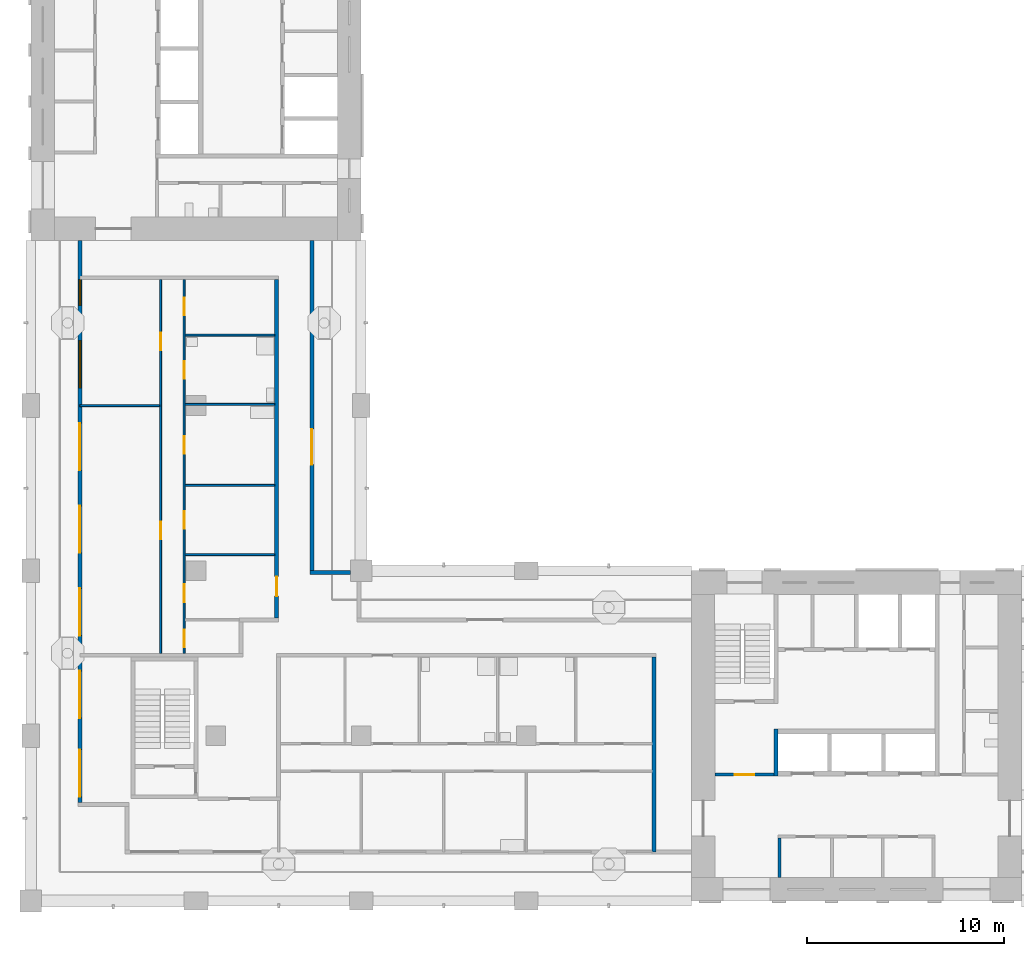
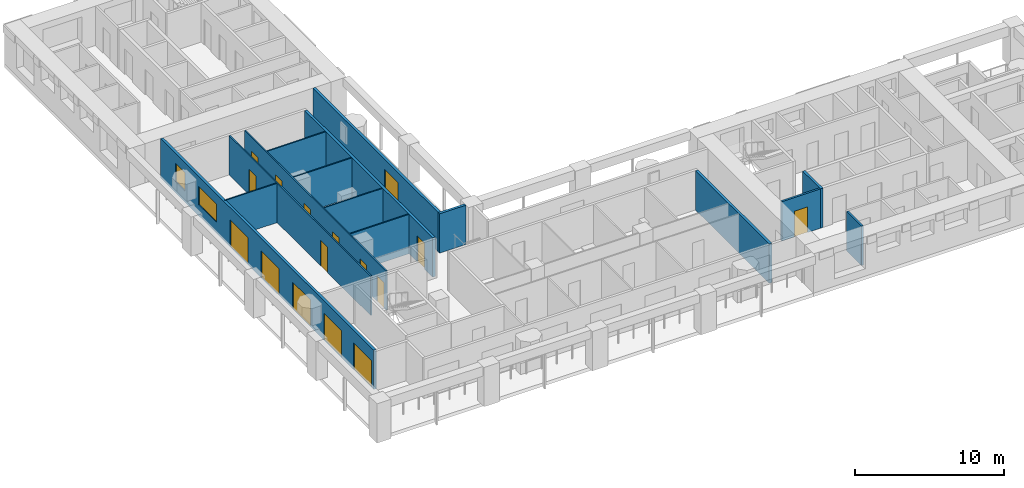
# One storey, part 3 of 13: 16 doors, 15 walls, 2 windows, 18 openings.
"""IFC4 building model written with IfcOpenShell, lengths in metres."""

from ifc_helpers import new_model, si_unit, direction, frame, frame_2d, origin, place, context, subcontext, project, spatial, rectangle, extrude, material, layer, layer_set, type_object, element, fill, save


model = new_model("IFC4")

# Units and contexts
model_context = context("Model", 3, precision=1e-05, world=origin(), true_north=direction((0.0, 1.0)))
body_context = subcontext(model_context, "Body", "Model", "MODEL_VIEW")
ifc_project = project(units=[si_unit("LENGTHUNIT", "METRE"), si_unit("AREAUNIT", "SQUARE_METRE"), si_unit("VOLUMEUNIT", "CUBIC_METRE"), si_unit("PLANEANGLEUNIT", "RADIAN"), si_unit("MASSUNIT", "GRAM", prefix="KILO")], contexts=[model_context])

# Site, building, storey
site_placement = place(None, origin())
site = spatial("IfcSite", under=ifc_project, at=site_placement, CompositionType="ELEMENT")
building_placement = place(site_placement, origin())
building = spatial("IfcBuilding", under=site, at=building_placement, Name="Vermilion Gate Residences", CompositionType="ELEMENT")
storey_placement = place(building_placement, frame((0.0, 0.0, 189.699951171875)))
storey = spatial("IfcBuildingStorey", under=building, at=storey_placement, Name="L49", CompositionType="ELEMENT", Elevation=189.699951171875)

# Wall
ifc_material_1 = material(Name="Masonry blockwork", Category="masonry")
ifc_layer_1 = layer(ifc_material_1, 0.14990234375)
ifc_layer_set_1 = layer_set([ifc_layer_1], Name="BLOCKWORK PARTITION 150 EI 120")
wall_type_1 = type_object("IfcWallType", Name="BLOCKWORK PARTITION 150 EI 120", PredefinedType="PARTITIONING", material=ifc_layer_set_1)
wall_1_placement = place(storey_placement, frame((46.47509765625, 9.60009765625, 0.0), z_axis=(0.0, 0.0, 1.0), x_axis=(0.0, 1.0, 0.0)))
element("IfcWall", 1, at=wall_1_placement, inside=storey, type_object=wall_type_1, Name="Core room partition A49-RW-W", PredefinedType="PARTITIONING", context=body_context, shape_type="SweptSolid", body=[
    extrude(rectangle(XDim=2.0, YDim=0.14990234375, at=frame_2d((1.0, 0.0))), origin(), (0.0, 0.0, 1.0), 3.219970703125),
])

# Wall, opening, door
wall_2_placement = place(storey_placement, frame((43.199951171875, 14.824951171875, 0.0), z_axis=(0.0, 0.0, 1.0), x_axis=(1.0, 0.0, 0.0)))
wall_2 = element("IfcWall", 2, at=wall_2_placement, inside=storey, type_object=wall_type_1, Name="Core room partition A49-VW-S", PredefinedType="PARTITIONING", context=body_context, shape_type="SweptSolid", body=[
    extrude(rectangle(XDim=3.0, YDim=0.14990234375, at=frame_2d((1.5, 0.0))), origin(), (0.0, 0.0, 1.0), 3.219970703125),
])
opening_1_placement = place(wall_2_placement, frame((1.0, 0.0, 0.0)))
opening_1 = element("IfcOpeningElement", 3, at=opening_1_placement, cuts=wall_2, Name="Opening DK49013", PredefinedType="OPENING", context=body_context, shape_type="SweptSolid", body=[
    extrude(rectangle(XDim=1.0, YDim=2.10009765625, at=frame_2d((0.5, 1.050048828125))), frame((0.0, 0.0849609375, 0.0), z_axis=(0.0, -1.0, 0.0), x_axis=(1.0, 0.0, 0.0)), (0.0, 0.0, 1.0), 0.169921875),
])
ifc_material_2 = material(Name="Steel", Category="steel")
door_type_1 = type_object("IfcDoorType", Name="FIRE DOOR FD60 1000 X 2100", OperationType="SINGLE_SWING_LEFT", PredefinedType="DOOR", material=ifc_material_2)
door_1_placement = place(opening_1_placement, frame((1.0, 0.0, 0.0), z_axis=(0.0, 0.0, 1.0), x_axis=(-1.0, 0.0, 0.0)))
door_1 = element("IfcDoor", 4, at=door_1_placement, inside=storey, type_object=door_type_1, Name="Stair vestibule door A49", OperationType="SINGLE_SWING_RIGHT", OverallHeight=2.10009765625, OverallWidth=1.0, PredefinedType="DOOR", context=body_context, shape_type="SweptSolid", body=[
    extrude(rectangle(XDim=1.0, YDim=2.10009765625, at=frame_2d((0.5, 1.050048828125))), frame((0.0, 0.02490234375, 0.0), z_axis=(0.0, -1.0, 0.0), x_axis=(1.0, 0.0, 0.0)), (0.0, 0.0, 1.0), 0.050048828125),
])
fill(opening_1, door_1)

# Wall, openings, doors, windows
ifc_material_3 = material(Name="Insulated steel stud wall with terracotta rainscreen", Category="masonry")
ifc_layer_2 = layer(ifc_material_3, 0.199951171875)
ifc_layer_set_2 = layer_set([ifc_layer_2], Name="EXTERNAL WALL 200 TERRACOTTA RAINSCREEN")
wall_type_2 = type_object("IfcWallType", Name="EXTERNAL WALL 200 TERRACOTTA RAINSCREEN", PredefinedType="SOLIDWALL", material=ifc_layer_set_2)
wall_3_placement = place(storey_placement, frame((10.89990234375, 42.0, 0.0), z_axis=(0.0, 0.0, 1.0), x_axis=(0.0, -1.0, 0.0)))
wall_3 = element("IfcWall", 5, at=wall_3_placement, inside=storey, type_object=wall_type_2, Name="External wall", PredefinedType="SOLIDWALL", context=body_context, shape_type="SweptSolid", body=[
    extrude(rectangle(XDim=28.60009765625, YDim=0.199951171875, at=frame_2d((14.300048828125, 0.0))), origin(), (0.0, 0.0, 1.0), 3.219970703125),
])
opening_2_placement = place(wall_3_placement, frame((25.89990234375, 0.0, 0.0)))
opening_2 = element("IfcOpeningElement", 6, at=opening_2_placement, cuts=wall_3, Name="Opening DE49001", PredefinedType="OPENING", context=body_context, shape_type="SweptSolid", body=[
    extrude(rectangle(XDim=2.39990234375, YDim=2.199951171875, at=frame_2d((1.199951171875, 1.10009765625))), frame((0.0, 0.10986328125, 0.0), z_axis=(0.0, -1.0, 0.0), x_axis=(1.0, 0.0, 0.0)), (0.0, 0.0, 1.0), 0.219970703125),
])
opening_3_placement = place(wall_3_placement, frame((21.89990234375, 0.0, 0.0)))
opening_3 = element("IfcOpeningElement", 7, at=opening_3_placement, cuts=wall_3, Name="Opening DE49002", PredefinedType="OPENING", context=body_context, shape_type="SweptSolid", body=[
    extrude(rectangle(XDim=2.39990234375, YDim=2.199951171875, at=frame_2d((1.199951171875, 1.10009765625))), frame((0.0, 0.10986328125, 0.0), z_axis=(0.0, -1.0, 0.0), x_axis=(1.0, 0.0, 0.0)), (0.0, 0.0, 1.0), 0.219970703125),
])
opening_4_placement = place(wall_3_placement, frame((17.699951171875, 0.0, 0.0)))
opening_4 = element("IfcOpeningElement", 8, at=opening_4_placement, cuts=wall_3, Name="Opening DE49003", PredefinedType="OPENING", context=body_context, shape_type="SweptSolid", body=[
    extrude(rectangle(XDim=2.39990234375, YDim=2.199951171875, at=frame_2d((1.199951171875, 1.10009765625))), frame((0.0, 0.10986328125, 0.0), z_axis=(0.0, -1.0, 0.0), x_axis=(1.0, 0.0, 0.0)), (0.0, 0.0, 1.0), 0.219970703125),
])
opening_5_placement = place(wall_3_placement, frame((13.5, 0.0, 0.0)))
opening_5 = element("IfcOpeningElement", 9, at=opening_5_placement, cuts=wall_3, Name="Opening DE49004", PredefinedType="OPENING", context=body_context, shape_type="SweptSolid", body=[
    extrude(rectangle(XDim=2.39990234375, YDim=2.199951171875, at=frame_2d((1.199951171875, 1.10009765625))), frame((0.0, 0.10986328125, 0.0), z_axis=(0.0, -1.0, 0.0), x_axis=(1.0, 0.0, 0.0)), (0.0, 0.0, 1.0), 0.219970703125),
])
opening_6_placement = place(wall_3_placement, frame((9.300048828125, 0.0, 0.0)))
opening_6 = element("IfcOpeningElement", 10, at=opening_6_placement, cuts=wall_3, Name="Opening DE49005", PredefinedType="OPENING", context=body_context, shape_type="SweptSolid", body=[
    extrude(rectangle(XDim=2.39990234375, YDim=2.199951171875, at=frame_2d((1.199951171875, 1.10009765625))), frame((0.0, 0.10986328125, 0.0), z_axis=(0.0, -1.0, 0.0), x_axis=(1.0, 0.0, 0.0)), (0.0, 0.0, 1.0), 0.219970703125),
])
opening_7_placement = place(wall_3_placement, frame((5.10009765625, 0.0, 0.89990234375)))
opening_7 = element("IfcOpeningElement", 11, at=opening_7_placement, cuts=wall_3, Name="Opening WE49006", PredefinedType="OPENING", context=body_context, shape_type="SweptSolid", body=[
    extrude(rectangle(XDim=2.39990234375, YDim=1.5, at=frame_2d((1.199951171875, 0.75))), frame((0.0, 0.10986328125, 0.0), z_axis=(0.0, -1.0, 0.0), x_axis=(1.0, 0.0, 0.0)), (0.0, 0.0, 1.0), 0.219970703125),
])
opening_8_placement = place(wall_3_placement, frame((2.0, 0.0, 0.89990234375)))
opening_8 = element("IfcOpeningElement", 12, at=opening_8_placement, cuts=wall_3, Name="Opening WE49007", PredefinedType="OPENING", context=body_context, shape_type="SweptSolid", body=[
    extrude(rectangle(XDim=1.300048828125, YDim=1.5, at=frame_2d((0.64990234375, 0.75))), frame((0.0, 0.10986328125, 0.0), z_axis=(0.0, -1.0, 0.0), x_axis=(1.0, 0.0, 0.0)), (0.0, 0.0, 1.0), 0.219970703125),
])
ifc_material_4 = material(Name="Aluminium and clear glass", Category="aluminium")
door_type_2 = type_object("IfcDoorType", Name="SLIDING GLAZED DOOR 2400 X 2200", OperationType="DOUBLE_DOOR_SLIDING", PredefinedType="DOOR", material=ifc_material_4)
door_2_placement = place(opening_2_placement, origin())
door_2 = element("IfcDoor", 13, at=door_2_placement, inside=storey, type_object=door_type_2, Name="Loggia sliding door", OperationType="DOUBLE_DOOR_SLIDING", OverallHeight=2.199951171875, OverallWidth=2.39990234375, PredefinedType="DOOR", context=body_context, shape_type="SweptSolid", body=[
    extrude(rectangle(XDim=2.39990234375, YDim=2.199951171875, at=frame_2d((1.199951171875, 1.10009765625))), frame((0.0, 0.02490234375, 0.0), z_axis=(0.0, -1.0, 0.0), x_axis=(1.0, 0.0, 0.0)), (0.0, 0.0, 1.0), 0.050048828125),
])
fill(opening_2, door_2)
door_3_placement = place(opening_3_placement, origin())
door_3 = element("IfcDoor", 14, at=door_3_placement, inside=storey, type_object=door_type_2, Name="Loggia sliding door", OperationType="DOUBLE_DOOR_SLIDING", OverallHeight=2.199951171875, OverallWidth=2.39990234375, PredefinedType="DOOR", context=body_context, shape_type="SweptSolid", body=[
    extrude(rectangle(XDim=2.39990234375, YDim=2.199951171875, at=frame_2d((1.199951171875, 1.10009765625))), frame((0.0, 0.02490234375, 0.0), z_axis=(0.0, -1.0, 0.0), x_axis=(1.0, 0.0, 0.0)), (0.0, 0.0, 1.0), 0.050048828125),
])
fill(opening_3, door_3)
door_4_placement = place(opening_4_placement, origin())
door_4 = element("IfcDoor", 15, at=door_4_placement, inside=storey, type_object=door_type_2, Name="Loggia sliding door", OperationType="DOUBLE_DOOR_SLIDING", OverallHeight=2.199951171875, OverallWidth=2.39990234375, PredefinedType="DOOR", context=body_context, shape_type="SweptSolid", body=[
    extrude(rectangle(XDim=2.39990234375, YDim=2.199951171875, at=frame_2d((1.199951171875, 1.10009765625))), frame((0.0, 0.02490234375, 0.0), z_axis=(0.0, -1.0, 0.0), x_axis=(1.0, 0.0, 0.0)), (0.0, 0.0, 1.0), 0.050048828125),
])
fill(opening_4, door_4)
door_5_placement = place(opening_5_placement, origin())
door_5 = element("IfcDoor", 16, at=door_5_placement, inside=storey, type_object=door_type_2, Name="Loggia sliding door", OperationType="DOUBLE_DOOR_SLIDING", OverallHeight=2.199951171875, OverallWidth=2.39990234375, PredefinedType="DOOR", context=body_context, shape_type="SweptSolid", body=[
    extrude(rectangle(XDim=2.39990234375, YDim=2.199951171875, at=frame_2d((1.199951171875, 1.10009765625))), frame((0.0, 0.02490234375, 0.0), z_axis=(0.0, -1.0, 0.0), x_axis=(1.0, 0.0, 0.0)), (0.0, 0.0, 1.0), 0.050048828125),
])
fill(opening_5, door_5)
door_6_placement = place(opening_6_placement, origin())
door_6 = element("IfcDoor", 17, at=door_6_placement, inside=storey, type_object=door_type_2, Name="Loggia sliding door", OperationType="DOUBLE_DOOR_SLIDING", OverallHeight=2.199951171875, OverallWidth=2.39990234375, PredefinedType="DOOR", context=body_context, shape_type="SweptSolid", body=[
    extrude(rectangle(XDim=2.39990234375, YDim=2.199951171875, at=frame_2d((1.199951171875, 1.10009765625))), frame((0.0, 0.02490234375, 0.0), z_axis=(0.0, -1.0, 0.0), x_axis=(1.0, 0.0, 0.0)), (0.0, 0.0, 1.0), 0.050048828125),
])
fill(opening_6, door_6)
ifc_material_5 = material(Name="Aluminium and clear glass", Category="aluminium")
window_type_1 = type_object("IfcWindowType", Name="WINDOW 1300 X 1500", PartitioningType="SINGLE_PANEL", PredefinedType="WINDOW", material=ifc_material_5)
window_1_placement = place(opening_8_placement, origin())
window_1 = element("IfcWindow", 18, at=window_1_placement, inside=storey, type_object=window_type_1, Name="Window", OverallHeight=1.5, OverallWidth=1.300048828125, PartitioningType="SINGLE_PANEL", PredefinedType="WINDOW", context=body_context, shape_type="SweptSolid", body=[
    extrude(rectangle(XDim=1.300048828125, YDim=1.5, at=frame_2d((0.64990234375, 0.75))), frame((0.0, 0.030029296875, 0.0), z_axis=(0.0, -1.0, 0.0), x_axis=(1.0, 0.0, 0.0)), (0.0, 0.0, 1.0), 0.06005859375),
])
fill(opening_8, window_1)
ifc_material_6 = material(Name="Aluminium and clear glass", Category="aluminium")
window_type_2 = type_object("IfcWindowType", Name="WINDOW 2400 X 1500", PartitioningType="SINGLE_PANEL", PredefinedType="WINDOW", material=ifc_material_6)
window_2_placement = place(opening_7_placement, origin())
window_2 = element("IfcWindow", 19, at=window_2_placement, inside=storey, type_object=window_type_2, Name="Window", OverallHeight=1.5, OverallWidth=2.39990234375, PartitioningType="SINGLE_PANEL", PredefinedType="WINDOW", context=body_context, shape_type="SweptSolid", body=[
    extrude(rectangle(XDim=2.39990234375, YDim=1.5, at=frame_2d((1.199951171875, 0.75))), frame((0.0, 0.030029296875, 0.0), z_axis=(0.0, -1.0, 0.0), x_axis=(1.0, 0.0, 0.0)), (0.0, 0.0, 1.0), 0.06005859375),
])
fill(opening_7, window_2)

# Wall
wall_4_placement = place(storey_placement, frame((24.64990234375, 25.10009765625, 0.0), z_axis=(0.0, 0.0, 1.0), x_axis=(-1.0, 0.0, 0.0)))
element("IfcWall", 20, at=wall_4_placement, inside=storey, type_object=wall_type_2, Name="External wall", PredefinedType="SOLIDWALL", context=body_context, shape_type="SweptSolid", body=[
    extrude(rectangle(XDim=2.0498046875, YDim=0.199951171875, at=frame_2d((1.02490234375, 0.0))), origin(), (0.0, 0.0, 1.0), 3.219970703125),
])

# Wall, opening, door
wall_5_placement = place(storey_placement, frame((22.699951171875, 25.199951171875, 0.0), z_axis=(0.0, 0.0, 1.0), x_axis=(0.0, 1.0, 0.0)))
wall_5 = element("IfcWall", 21, at=wall_5_placement, inside=storey, type_object=wall_type_2, Name="External wall", PredefinedType="SOLIDWALL", context=body_context, shape_type="SweptSolid", body=[
    extrude(rectangle(XDim=16.800048828125, YDim=0.199951171875, at=frame_2d((8.39990234375, 0.0))), origin(), (0.0, 0.0, 1.0), 3.219970703125),
])
opening_9_placement = place(wall_5_placement, frame((5.39990234375, 0.0, 0.0)))
opening_9 = element("IfcOpeningElement", 22, at=opening_9_placement, cuts=wall_5, Name="Opening DE49021", PredefinedType="OPENING", context=body_context, shape_type="SweptSolid", body=[
    extrude(rectangle(XDim=1.800048828125, YDim=2.39990234375, at=frame_2d((0.89990234375, 1.199951171875))), frame((0.0, 0.10986328125, 0.0), z_axis=(0.0, -1.0, 0.0), x_axis=(1.0, 0.0, 0.0)), (0.0, 0.0, 1.0), 0.219970703125),
])
ifc_material_7 = material(Name="Aluminium and clear glass", Category="aluminium")
door_type_3 = type_object("IfcDoorType", Name="GLAZED EXTERNAL DOOR 1800 X 2400", OperationType="DOUBLE_DOOR_SINGLE_SWING", PredefinedType="DOOR", material=ifc_material_7)
door_7_placement = place(opening_9_placement, frame((1.800048828125, 0.0, 0.0), z_axis=(0.0, 0.0, 1.0), x_axis=(-1.0, 0.0, 0.0)))
door_7 = element("IfcDoor", 23, at=door_7_placement, inside=storey, type_object=door_type_3, Name="Gallery door", OperationType="DOUBLE_DOOR_SINGLE_SWING", OverallHeight=2.39990234375, OverallWidth=1.800048828125, PredefinedType="DOOR", context=body_context, shape_type="SweptSolid", body=[
    extrude(rectangle(XDim=1.800048828125, YDim=2.39990234375, at=frame_2d((0.89990234375, 1.199951171875))), frame((0.0, 0.02490234375, 0.0), z_axis=(0.0, -1.0, 0.0), x_axis=(1.0, 0.0, 0.0)), (0.0, 0.0, 1.0), 0.050048828125),
])
fill(opening_9, door_7)

# Walls
ifc_material_8 = material(Name="Plasterboard on steel studs", Category="steel")
ifc_layer_3 = layer(ifc_material_8, 0.10009765625)
ifc_layer_set_3 = layer_set([ifc_layer_3], Name="PARTITION 100")
wall_type_3 = type_object("IfcWallType", Name="PARTITION 100", PredefinedType="PARTITIONING", material=ifc_layer_set_3)
for number, where, z_axis, x_axis, name in (
    (24, (16.25, 26.02001953125, 0.0), (0.0, 0.0, 1.0), (1.0, 0.0, 0.0), "Partition"),
    (25, (16.25, 29.5400390625, 0.0), (0.0, 0.0, 1.0), (1.0, 0.0, 0.0), "Partition"),
):
    element("IfcWall", number, at=place(storey_placement, frame(where, z_axis=z_axis, x_axis=x_axis)), inside=storey, type_object=wall_type_3, Name=name, PredefinedType="PARTITIONING", context=body_context, shape_type="SweptSolid", body=[
        extrude(rectangle(XDim=4.550048828125, YDim=0.10009765625, at=frame_2d((2.27490234375, 0.0))), origin(), (0.0, 0.0, 1.0), 3.219970703125),
    ])
wall_6_placement = place(storey_placement, frame((10.89990234375, 33.60009765625, 0.0), z_axis=(0.0, 0.0, 1.0), x_axis=(1.0, 0.0, 0.0)))
element("IfcWall", 26, at=wall_6_placement, inside=storey, type_object=wall_type_3, Name="Partition", PredefinedType="PARTITIONING", context=body_context, shape_type="SweptSolid", body=[
    extrude(rectangle(XDim=4.050048828125, YDim=0.10009765625, at=frame_2d((2.02490234375, 0.0))), origin(), (0.0, 0.0, 1.0), 3.219970703125),
])
for number, where, z_axis, x_axis, name in (
    (27, (16.25, 33.659912109375, 0.0), (0.0, 0.0, 1.0), (1.0, 0.0, 0.0), "Partition"),
    (28, (16.25, 37.179931640625, 0.0), (0.0, 0.0, 1.0), (1.0, 0.0, 0.0), "Partition"),
):
    element("IfcWall", number, at=place(storey_placement, frame(where, z_axis=z_axis, x_axis=x_axis)), inside=storey, type_object=wall_type_3, Name=name, PredefinedType="PARTITIONING", context=body_context, shape_type="SweptSolid", body=[
        extrude(rectangle(XDim=4.550048828125, YDim=0.10009765625, at=frame_2d((2.27490234375, 0.0))), origin(), (0.0, 0.0, 1.0), 3.219970703125),
    ])

# Wall, openings, doors
wall_7_placement = place(storey_placement, frame((15.0, 21.0, 0.0), z_axis=(0.0, 0.0, 1.0), x_axis=(0.0, 1.0, 0.0)))
wall_7 = element("IfcWall", 29, at=wall_7_placement, inside=storey, type_object=wall_type_3, Name="Partition", PredefinedType="PARTITIONING", context=body_context, shape_type="SweptSolid", body=[
    extrude(rectangle(XDim=19.0, YDim=0.10009765625, at=frame_2d((9.5, 0.0))), origin(), (0.0, 0.0, 1.0), 3.219970703125),
])
opening_10_placement = place(wall_7_placement, frame((5.800048828125, 0.0, 0.0)))
opening_10 = element("IfcOpeningElement", 30, at=opening_10_placement, cuts=wall_7, Name="Opening DA49012", PredefinedType="OPENING", context=body_context, shape_type="SweptSolid", body=[
    extrude(rectangle(XDim=0.89990234375, YDim=2.10009765625, at=frame_2d((0.449951171875, 1.050048828125))), frame((0.0, 0.06005859375, 0.0), z_axis=(0.0, -1.0, 0.0), x_axis=(1.0, 0.0, 0.0)), (0.0, 0.0, 1.0), 0.1201171875),
])
opening_11_placement = place(wall_7_placement, frame((15.39990234375, 0.0, 0.0)))
opening_11 = element("IfcOpeningElement", 31, at=opening_11_placement, cuts=wall_7, Name="Opening DA49013", PredefinedType="OPENING", context=body_context, shape_type="SweptSolid", body=[
    extrude(rectangle(XDim=0.89990234375, YDim=2.10009765625, at=frame_2d((0.449951171875, 1.050048828125))), frame((0.0, 0.06005859375, 0.0), z_axis=(0.0, -1.0, 0.0), x_axis=(1.0, 0.0, 0.0)), (0.0, 0.0, 1.0), 0.1201171875),
])
ifc_material_9 = material(Name="Timber", Category="wood")
door_type_4 = type_object("IfcDoorType", Name="INTERIOR DOOR 900 X 2100", OperationType="SINGLE_SWING_LEFT", PredefinedType="DOOR", material=ifc_material_9)
door_8_placement = place(opening_10_placement, origin())
door_8 = element("IfcDoor", 32, at=door_8_placement, inside=storey, type_object=door_type_4, Name="Interior door", OperationType="SINGLE_SWING_LEFT", OverallHeight=2.10009765625, OverallWidth=0.89990234375, PredefinedType="DOOR", context=body_context, shape_type="SweptSolid", body=[
    extrude(rectangle(XDim=0.89990234375, YDim=2.10009765625, at=frame_2d((0.449951171875, 1.050048828125))), frame((0.0, 0.02490234375, 0.0), z_axis=(0.0, -1.0, 0.0), x_axis=(1.0, 0.0, 0.0)), (0.0, 0.0, 1.0), 0.050048828125),
])
fill(opening_10, door_8)
door_9_placement = place(opening_11_placement, origin())
door_9 = element("IfcDoor", 33, at=door_9_placement, inside=storey, type_object=door_type_4, Name="Interior door", OperationType="SINGLE_SWING_RIGHT", OverallHeight=2.10009765625, OverallWidth=0.89990234375, PredefinedType="DOOR", context=body_context, shape_type="SweptSolid", body=[
    extrude(rectangle(XDim=0.89990234375, YDim=2.10009765625, at=frame_2d((0.449951171875, 1.050048828125))), frame((0.0, 0.02490234375, 0.0), z_axis=(0.0, -1.0, 0.0), x_axis=(1.0, 0.0, 0.0)), (0.0, 0.0, 1.0), 0.050048828125),
])
fill(opening_11, door_9)

wall_8_placement = place(storey_placement, frame((16.199951171875, 21.0, 0.0), z_axis=(0.0, 0.0, 1.0), x_axis=(0.0, 1.0, 0.0)))
wall_8 = element("IfcWall", 34, at=wall_8_placement, inside=storey, type_object=wall_type_3, Name="Partition", PredefinedType="PARTITIONING", context=body_context, shape_type="SweptSolid", body=[
    extrude(rectangle(XDim=19.0, YDim=0.10009765625, at=frame_2d((9.5, 0.0))), origin(), (0.0, 0.0, 1.0), 3.219970703125),
])
opening_12_placement = place(wall_8_placement, frame((2.60009765625, 0.0, 0.0)))
opening_12 = element("IfcOpeningElement", 35, at=opening_12_placement, cuts=wall_8, Name="Opening DA49014", PredefinedType="OPENING", context=body_context, shape_type="SweptSolid", body=[
    extrude(rectangle(XDim=0.89990234375, YDim=2.10009765625, at=frame_2d((0.449951171875, 1.050048828125))), frame((0.0, 0.06005859375, 0.0), z_axis=(0.0, -1.0, 0.0), x_axis=(1.0, 0.0, 0.0)), (0.0, 0.0, 1.0), 0.1201171875),
])
opening_13_placement = place(wall_8_placement, frame((0.300048828125, 0.0, 0.0)))
opening_13 = element("IfcOpeningElement", 36, at=opening_13_placement, cuts=wall_8, Name="Opening DA49015", PredefinedType="OPENING", context=body_context, shape_type="SweptSolid", body=[
    extrude(rectangle(XDim=0.89990234375, YDim=2.10009765625, at=frame_2d((0.449951171875, 1.050048828125))), frame((0.0, 0.06005859375, 0.0), z_axis=(0.0, -1.0, 0.0), x_axis=(1.0, 0.0, 0.0)), (0.0, 0.0, 1.0), 0.1201171875),
])
opening_14_placement = place(wall_8_placement, frame((6.320068359375, 0.0, 0.0)))
opening_14 = element("IfcOpeningElement", 37, at=opening_14_placement, cuts=wall_8, Name="Opening DA49016", PredefinedType="OPENING", context=body_context, shape_type="SweptSolid", body=[
    extrude(rectangle(XDim=0.89990234375, YDim=2.10009765625, at=frame_2d((0.449951171875, 1.050048828125))), frame((0.0, 0.06005859375, 0.0), z_axis=(0.0, -1.0, 0.0), x_axis=(1.0, 0.0, 0.0)), (0.0, 0.0, 1.0), 0.1201171875),
])
opening_15_placement = place(wall_8_placement, frame((10.139892578125, 0.0, 0.0)))
opening_15 = element("IfcOpeningElement", 38, at=opening_15_placement, cuts=wall_8, Name="Opening DA49017", PredefinedType="OPENING", context=body_context, shape_type="SweptSolid", body=[
    extrude(rectangle(XDim=0.89990234375, YDim=2.10009765625, at=frame_2d((0.449951171875, 1.050048828125))), frame((0.0, 0.06005859375, 0.0), z_axis=(0.0, -1.0, 0.0), x_axis=(1.0, 0.0, 0.0)), (0.0, 0.0, 1.0), 0.1201171875),
])
opening_16_placement = place(wall_8_placement, frame((13.9599609375, 0.0, 0.0)))
opening_16 = element("IfcOpeningElement", 39, at=opening_16_placement, cuts=wall_8, Name="Opening DA49018", PredefinedType="OPENING", context=body_context, shape_type="SweptSolid", body=[
    extrude(rectangle(XDim=0.89990234375, YDim=2.10009765625, at=frame_2d((0.449951171875, 1.050048828125))), frame((0.0, 0.06005859375, 0.0), z_axis=(0.0, -1.0, 0.0), x_axis=(1.0, 0.0, 0.0)), (0.0, 0.0, 1.0), 0.1201171875),
])
opening_17_placement = place(wall_8_placement, frame((17.179931640625, 0.0, 0.0)))
opening_17 = element("IfcOpeningElement", 40, at=opening_17_placement, cuts=wall_8, Name="Opening DA49019", PredefinedType="OPENING", context=body_context, shape_type="SweptSolid", body=[
    extrude(rectangle(XDim=0.89990234375, YDim=2.10009765625, at=frame_2d((0.449951171875, 1.050048828125))), frame((0.0, 0.06005859375, 0.0), z_axis=(0.0, -1.0, 0.0), x_axis=(1.0, 0.0, 0.0)), (0.0, 0.0, 1.0), 0.1201171875),
])
door_10_placement = place(opening_12_placement, frame((0.89990234375, 0.0, 0.0), z_axis=(0.0, 0.0, 1.0), x_axis=(-1.0, 0.0, 0.0)))
door_10 = element("IfcDoor", 41, at=door_10_placement, inside=storey, type_object=door_type_4, Name="Interior door", OperationType="SINGLE_SWING_LEFT", OverallHeight=2.10009765625, OverallWidth=0.89990234375, PredefinedType="DOOR", context=body_context, shape_type="SweptSolid", body=[
    extrude(rectangle(XDim=0.89990234375, YDim=2.10009765625, at=frame_2d((0.449951171875, 1.050048828125))), frame((0.0, 0.02490234375, 0.0), z_axis=(0.0, -1.0, 0.0), x_axis=(1.0, 0.0, 0.0)), (0.0, 0.0, 1.0), 0.050048828125),
])
fill(opening_12, door_10)
door_11_placement = place(opening_13_placement, frame((0.89990234375, 0.0, 0.0), z_axis=(0.0, 0.0, 1.0), x_axis=(-1.0, 0.0, 0.0)))
door_11 = element("IfcDoor", 42, at=door_11_placement, inside=storey, type_object=door_type_4, Name="Interior door", OperationType="SINGLE_SWING_RIGHT", OverallHeight=2.10009765625, OverallWidth=0.89990234375, PredefinedType="DOOR", context=body_context, shape_type="SweptSolid", body=[
    extrude(rectangle(XDim=0.89990234375, YDim=2.10009765625, at=frame_2d((0.449951171875, 1.050048828125))), frame((0.0, 0.02490234375, 0.0), z_axis=(0.0, -1.0, 0.0), x_axis=(1.0, 0.0, 0.0)), (0.0, 0.0, 1.0), 0.050048828125),
])
fill(opening_13, door_11)
door_12_placement = place(opening_14_placement, frame((0.89990234375, 0.0, 0.0), z_axis=(0.0, 0.0, 1.0), x_axis=(-1.0, 0.0, 0.0)))
door_12 = element("IfcDoor", 43, at=door_12_placement, inside=storey, type_object=door_type_4, Name="Interior door", OperationType="SINGLE_SWING_RIGHT", OverallHeight=2.10009765625, OverallWidth=0.89990234375, PredefinedType="DOOR", context=body_context, shape_type="SweptSolid", body=[
    extrude(rectangle(XDim=0.89990234375, YDim=2.10009765625, at=frame_2d((0.449951171875, 1.050048828125))), frame((0.0, 0.02490234375, 0.0), z_axis=(0.0, -1.0, 0.0), x_axis=(1.0, 0.0, 0.0)), (0.0, 0.0, 1.0), 0.050048828125),
])
fill(opening_14, door_12)
door_13_placement = place(opening_15_placement, frame((0.89990234375, 0.0, 0.0), z_axis=(0.0, 0.0, 1.0), x_axis=(-1.0, 0.0, 0.0)))
door_13 = element("IfcDoor", 44, at=door_13_placement, inside=storey, type_object=door_type_4, Name="Interior door", OperationType="SINGLE_SWING_LEFT", OverallHeight=2.10009765625, OverallWidth=0.89990234375, PredefinedType="DOOR", context=body_context, shape_type="SweptSolid", body=[
    extrude(rectangle(XDim=0.89990234375, YDim=2.10009765625, at=frame_2d((0.449951171875, 1.050048828125))), frame((0.0, 0.02490234375, 0.0), z_axis=(0.0, -1.0, 0.0), x_axis=(1.0, 0.0, 0.0)), (0.0, 0.0, 1.0), 0.050048828125),
])
fill(opening_15, door_13)
door_14_placement = place(opening_16_placement, frame((0.89990234375, 0.0, 0.0), z_axis=(0.0, 0.0, 1.0), x_axis=(-1.0, 0.0, 0.0)))
door_14 = element("IfcDoor", 45, at=door_14_placement, inside=storey, type_object=door_type_4, Name="Interior door", OperationType="SINGLE_SWING_LEFT", OverallHeight=2.10009765625, OverallWidth=0.89990234375, PredefinedType="DOOR", context=body_context, shape_type="SweptSolid", body=[
    extrude(rectangle(XDim=0.89990234375, YDim=2.10009765625, at=frame_2d((0.449951171875, 1.050048828125))), frame((0.0, 0.02490234375, 0.0), z_axis=(0.0, -1.0, 0.0), x_axis=(1.0, 0.0, 0.0)), (0.0, 0.0, 1.0), 0.050048828125),
])
fill(opening_16, door_14)
door_15_placement = place(opening_17_placement, frame((0.89990234375, 0.0, 0.0), z_axis=(0.0, 0.0, 1.0), x_axis=(-1.0, 0.0, 0.0)))
door_15 = element("IfcDoor", 46, at=door_15_placement, inside=storey, type_object=door_type_4, Name="Interior door", OperationType="SINGLE_SWING_LEFT", OverallHeight=2.10009765625, OverallWidth=0.89990234375, PredefinedType="DOOR", context=body_context, shape_type="SweptSolid", body=[
    extrude(rectangle(XDim=0.89990234375, YDim=2.10009765625, at=frame_2d((0.449951171875, 1.050048828125))), frame((0.0, 0.02490234375, 0.0), z_axis=(0.0, -1.0, 0.0), x_axis=(1.0, 0.0, 0.0)), (0.0, 0.0, 1.0), 0.050048828125),
])
fill(opening_17, door_15)

# Wall, opening, door
ifc_material_10 = material(Name="Fire-rated plasterboard on steel studs", Category="steel")
ifc_layer_4 = layer(ifc_material_10, 0.199951171875)
ifc_layer_set_4 = layer_set([ifc_layer_4], Name="PARTY WALL 200 EI 120")
wall_type_4 = type_object("IfcWallType", Name="PARTY WALL 200 EI 120", PredefinedType="PARTITIONING", material=ifc_layer_set_4)
wall_9_placement = place(storey_placement, frame((20.89990234375, 22.800048828125, 0.0), z_axis=(0.0, 0.0, 1.0), x_axis=(0.0, 1.0, 0.0)))
wall_9 = element("IfcWall", 47, at=wall_9_placement, inside=storey, type_object=wall_type_4, Name="Party and corridor wall", PredefinedType="PARTITIONING", context=body_context, shape_type="SweptSolid", body=[
    extrude(rectangle(XDim=17.199951171875, YDim=0.199951171875, at=frame_2d((8.60009765625, 0.0))), origin(), (0.0, 0.0, 1.0), 3.219970703125),
])
opening_18_placement = place(wall_9_placement, frame((1.10009765625, 0.0, 0.0)))
opening_18 = element("IfcOpeningElement", 48, at=opening_18_placement, cuts=wall_9, Name="Opening DA49020", PredefinedType="OPENING", context=body_context, shape_type="SweptSolid", body=[
    extrude(rectangle(XDim=1.0, YDim=2.10009765625, at=frame_2d((0.5, 1.050048828125))), frame((0.0, 0.10986328125, 0.0), z_axis=(0.0, -1.0, 0.0), x_axis=(1.0, 0.0, 0.0)), (0.0, 0.0, 1.0), 0.219970703125),
])
ifc_material_11 = material(Name="Steel", Category="steel")
door_type_5 = type_object("IfcDoorType", Name="ENTRANCE DOOR 1000 X 2100 FD30", OperationType="SINGLE_SWING_LEFT", PredefinedType="DOOR", material=ifc_material_11)
door_16_placement = place(opening_18_placement, origin())
door_16 = element("IfcDoor", 49, at=door_16_placement, inside=storey, type_object=door_type_5, Name="Entrance door", OperationType="SINGLE_SWING_RIGHT", OverallHeight=2.10009765625, OverallWidth=1.0, PredefinedType="DOOR", context=body_context, shape_type="SweptSolid", body=[
    extrude(rectangle(XDim=1.0, YDim=2.10009765625, at=frame_2d((0.5, 1.050048828125))), frame((0.0, 0.02490234375, 0.0), z_axis=(0.0, -1.0, 0.0), x_axis=(1.0, 0.0, 0.0)), (0.0, 0.0, 1.0), 0.050048828125),
])
fill(opening_18, door_16)

# Walls
wall_10_placement = place(storey_placement, frame((40.10009765625, 10.89990234375, 0.0), z_axis=(0.0, 0.0, 1.0), x_axis=(0.0, 1.0, 0.0)))
element("IfcWall", 50, at=wall_10_placement, inside=storey, type_object=wall_type_4, Name="Party and corridor wall", PredefinedType="PARTITIONING", context=body_context, shape_type="SweptSolid", body=[
    extrude(rectangle(XDim=9.900146484375, YDim=0.199951171875, at=frame_2d((4.9501953125, 0.0))), origin(), (0.0, 0.0, 1.0), 3.219970703125),
])
ifc_material_12 = material(Name="Concrete C60", Category="concrete")
ifc_layer_5 = layer(ifc_material_12, 0.199951171875)
ifc_layer_set_5 = layer_set([ifc_layer_5], Name="RC CORE INTERNAL WALL 200 C60")
wall_type_5 = type_object("IfcWallType", Name="RC CORE INTERNAL WALL 200 C60", PredefinedType="SHEAR", material=ifc_layer_set_5)
wall_11_placement = place(storey_placement, frame((46.300048828125, 14.75, 0.0), z_axis=(0.0, 0.0, 1.0), x_axis=(0.0, 1.0, 0.0)))
element("IfcWall", 51, at=wall_11_placement, inside=storey, type_object=wall_type_5, Name="Core internal wall A49-WDIV1", PredefinedType="SHEAR", context=body_context, shape_type="SweptSolid", body=[
    extrude(rectangle(XDim=2.39990234375, YDim=0.199951171875, at=frame_2d((1.199951171875, 0.0))), origin(), (0.0, 0.0, 1.0), 3.219970703125),
])

save(model, "model.ifc")
